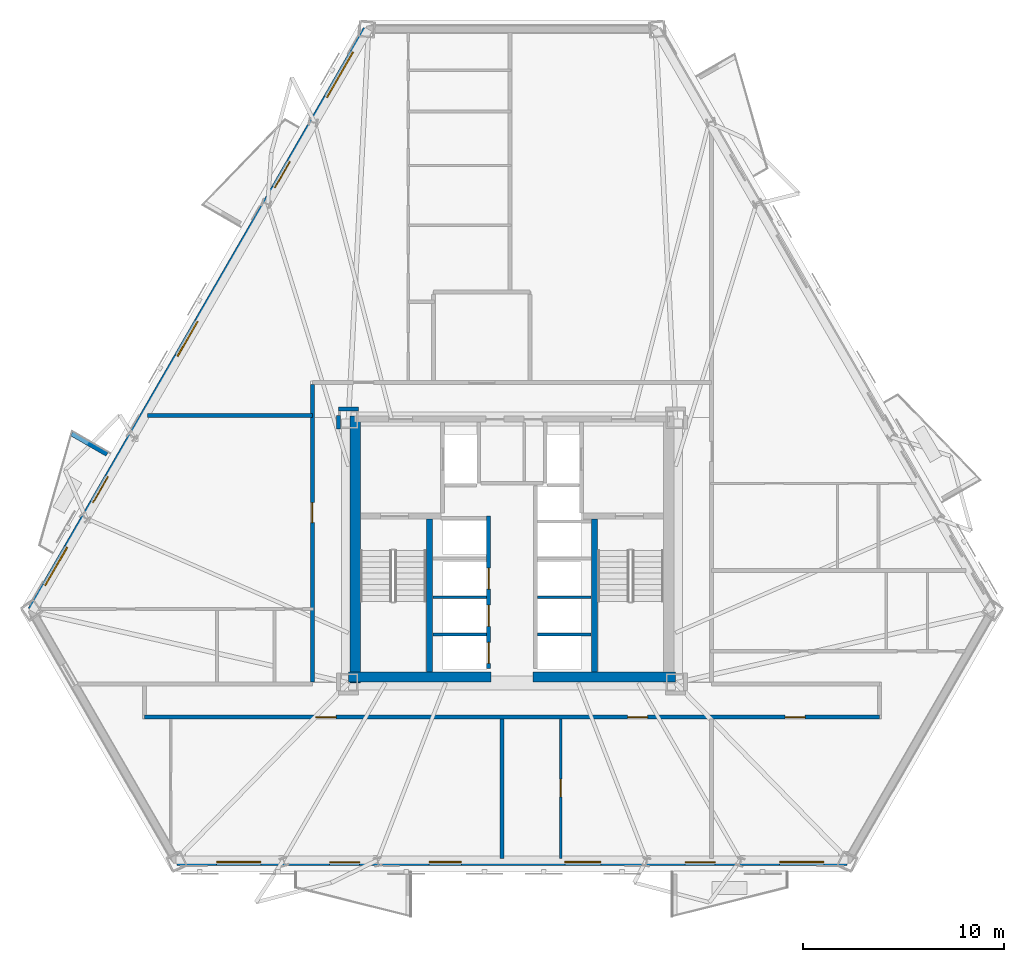
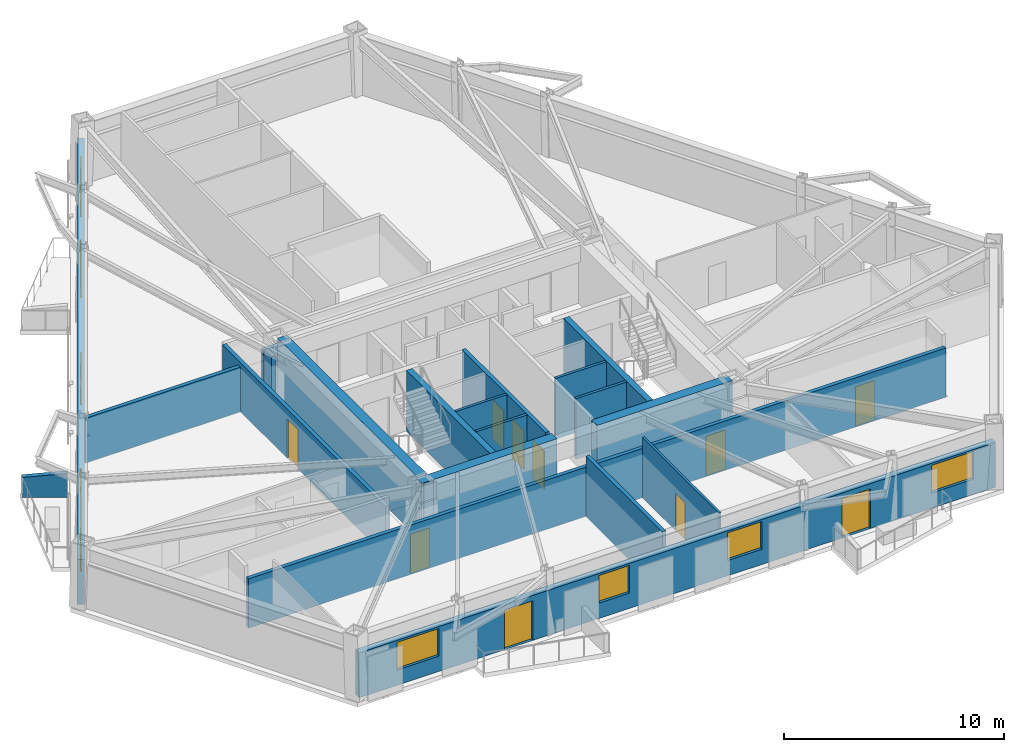
# One storey, part 3 of 10: 20 walls, 12 doors, 7 windows, 19 openings.
"""IFC4 building model written with IfcOpenShell, lengths in metres."""

from ifc_helpers import new_model, si_unit, direction, frame, frame_2d, origin, place, context, subcontext, project, spatial, polyline, rectangle, outline, extrude, material, layer, layer_set, type_object, element, fill, save


model = new_model("IFC4")

# Units and contexts
model_context = context("Model", 3, precision=1e-05, world=origin(), true_north=direction((0.0, 1.0)))
body_context = subcontext(model_context, "Body", "Model", "MODEL_VIEW")
ifc_project = project(units=[si_unit("LENGTHUNIT", "METRE"), si_unit("AREAUNIT", "SQUARE_METRE"), si_unit("VOLUMEUNIT", "CUBIC_METRE"), si_unit("PLANEANGLEUNIT", "RADIAN"), si_unit("MASSUNIT", "GRAM", prefix="KILO")], contexts=[model_context])

# Site, building, storey
site_placement = place(None, origin())
site = spatial("IfcSite", under=ifc_project, at=site_placement, CompositionType="ELEMENT")
building_placement = place(site_placement, origin())
building = spatial("IfcBuilding", under=site, at=building_placement, Name="Oramaril Tower", CompositionType="ELEMENT")
storey_placement = place(building_placement, frame((0.0, 0.0, 52.5)))
storey = spatial("IfcBuildingStorey", under=building, at=storey_placement, Name="L13", CompositionType="ELEMENT", Elevation=52.5)

# Wall, openings, doors, windows
ifc_material_1 = material(Name="Warm Cream Limestone", Category="masonry")
ifc_layer_1 = layer(ifc_material_1, 0.340087890625)
ifc_layer_set_1 = layer_set([ifc_layer_1], Name="WT-EXT34")
wall_type_1 = type_object("IfcWallType", Name="WT-EXT34", PredefinedType="SOLIDWALL", material=ifc_layer_set_1)
wall_1_placement = place(storey_placement, frame((20.799072265625, 2.07763671875, 0.0), z_axis=(0.0, 0.0, 1.0), x_axis=(1.0, 0.0, 0.0)))
wall_1 = element("IfcWall", 1, at=wall_1_placement, inside=storey, type_object=wall_type_1, Name="L13 Tower Limestone Facade Wall 2M", PredefinedType="SOLIDWALL", context=body_context, shape_type="SweptSolid", body=[
    extrude(rectangle(XDim=33.40185546875, YDim=0.340087890625, at=frame_2d((16.700927734375, 0.0))), origin(), (0.0, 0.0, 1.0), 2.493896484375),
])
opening_1_placement = place(wall_1_placement, frame((7.614501953125, 0.0, 0.0)))
opening_1 = element("IfcOpeningElement", 2, at=opening_1_placement, cuts=wall_1, Name="Opening D-L13-BAL-S1", PredefinedType="OPENING", context=body_context, shape_type="SweptSolid", body=[
    extrude(rectangle(XDim=1.5, YDim=2.199951171875, at=frame_2d((0.75, 1.10009765625))), frame((0.0, 0.169921875, 0.0), z_axis=(0.0, -1.0, 0.0), x_axis=(1.0, 0.0, 0.0)), (0.0, 0.0, 1.0), 0.340087890625),
])
opening_2_placement = place(wall_1_placement, frame((25.322509765625, 0.0, 0.0)))
opening_2 = element("IfcOpeningElement", 3, at=opening_2_placement, cuts=wall_1, Name="Opening D-L13-BAL-S2", PredefinedType="OPENING", context=body_context, shape_type="SweptSolid", body=[
    extrude(rectangle(XDim=1.5, YDim=2.199951171875, at=frame_2d((0.75, 1.10009765625))), frame((0.0, 0.169921875, 0.0), z_axis=(0.0, -1.0, 0.0), x_axis=(1.0, 0.0, 0.0)), (0.0, 0.0, 1.0), 0.340087890625),
])
opening_3_placement = place(wall_1_placement, frame((1.98779296875, 0.0, 0.85009765625)))
opening_3 = element("IfcOpeningElement", 4, at=opening_3_placement, cuts=wall_1, Name="Opening WN-04", PredefinedType="OPENING", context=body_context, shape_type="SweptSolid", body=[
    extrude(rectangle(XDim=2.199951171875, YDim=1.533935546875, at=frame_2d((1.10009765625, 0.76708984375))), frame((0.0, 0.169921875, 0.0), z_axis=(0.0, -1.0, 0.0), x_axis=(1.0, 0.0, 0.0)), (0.0, 0.0, 1.0), 0.340087890625),
])
opening_4_placement = place(wall_1_placement, frame((12.577392578125, 0.0, 0.85009765625)))
opening_4 = element("IfcOpeningElement", 5, at=opening_4_placement, cuts=wall_1, Name="Opening WN-07", PredefinedType="OPENING", context=body_context, shape_type="SweptSolid", body=[
    extrude(rectangle(XDim=1.60009765625, YDim=1.533935546875, at=frame_2d((0.800048828125, 0.76708984375))), frame((0.0, 0.169921875, 0.0), z_axis=(0.0, -1.0, 0.0), x_axis=(1.0, 0.0, 0.0)), (0.0, 0.0, 1.0), 0.340087890625),
])
opening_5_placement = place(wall_1_placement, frame((19.331787109375, 0.0, 0.85009765625)))
opening_5 = element("IfcOpeningElement", 6, at=opening_5_placement, cuts=wall_1, Name="Opening WN-06", PredefinedType="OPENING", context=body_context, shape_type="SweptSolid", body=[
    extrude(rectangle(XDim=1.800048828125, YDim=1.533935546875, at=frame_2d((0.89990234375, 0.76708984375))), frame((0.0, 0.169921875, 0.0), z_axis=(0.0, -1.0, 0.0), x_axis=(1.0, 0.0, 0.0)), (0.0, 0.0, 1.0), 0.340087890625),
])
opening_6_placement = place(wall_1_placement, frame((30.03857421875, 0.0, 0.85009765625)))
opening_6 = element("IfcOpeningElement", 7, at=opening_6_placement, cuts=wall_1, Name="Opening WN-04", PredefinedType="OPENING", context=body_context, shape_type="SweptSolid", body=[
    extrude(rectangle(XDim=2.199951171875, YDim=1.533935546875, at=frame_2d((1.10009765625, 0.76708984375))), frame((0.0, 0.169921875, 0.0), z_axis=(0.0, -1.0, 0.0), x_axis=(1.0, 0.0, 0.0)), (0.0, 0.0, 1.0), 0.340087890625),
])
ifc_material_2 = material(Name="Anodised Aluminium 6063-T6", Category="aluminium")
door_type_1 = type_object("IfcDoorType", Name="DT-BAL", OperationType="NOTDEFINED", PredefinedType="DOOR", material=ifc_material_2)
door_1_placement = place(opening_1_placement, origin())
door_1 = element("IfcDoor", 8, at=door_1_placement, inside=storey, type_object=door_type_1, Name="L13 Balcony Glazed Door L13-BAL-S1", OperationType="SINGLE_SWING_RIGHT", OverallHeight=2.199951171875, OverallWidth=1.5, PredefinedType="DOOR", context=body_context, shape_type="SweptSolid", body=[
    extrude(rectangle(XDim=1.5, YDim=2.199951171875, at=frame_2d((0.75, 1.10009765625))), frame((0.0, 0.02490234375, 0.0), z_axis=(0.0, -1.0, 0.0), x_axis=(1.0, 0.0, 0.0)), (0.0, 0.0, 1.0), 0.050048828125),
])
fill(opening_1, door_1)
door_2_placement = place(opening_2_placement, origin())
door_2 = element("IfcDoor", 9, at=door_2_placement, inside=storey, type_object=door_type_1, Name="L13 Balcony Glazed Door L13-BAL-S2", OperationType="SINGLE_SWING_LEFT", OverallHeight=2.199951171875, OverallWidth=1.5, PredefinedType="DOOR", context=body_context, shape_type="SweptSolid", body=[
    extrude(rectangle(XDim=1.5, YDim=2.199951171875, at=frame_2d((0.75, 1.10009765625))), frame((0.0, 0.02490234375, 0.0), z_axis=(0.0, -1.0, 0.0), x_axis=(1.0, 0.0, 0.0)), (0.0, 0.0, 1.0), 0.050048828125),
])
fill(opening_2, door_2)
ifc_material_3 = material(Name="Coastal Low-E Insulated Glass", Category="glass")
window_type_1 = type_object("IfcWindowType", Name="WNT-04", PartitioningType="SINGLE_PANEL", PredefinedType="WINDOW", material=ifc_material_3)
window_1_placement = place(opening_3_placement, origin())
window_1 = element("IfcWindow", 10, at=window_1_placement, inside=storey, type_object=window_type_1, Name="L13 Chicago Bay Window WN-04", OverallHeight=1.533935546875, OverallWidth=2.199951171875, PartitioningType="SINGLE_PANEL", PredefinedType="WINDOW", context=body_context, shape_type="SweptSolid", body=[
    extrude(rectangle(XDim=2.199951171875, YDim=1.533935546875, at=frame_2d((1.10009765625, 0.76708984375))), frame((0.0, 0.030029296875, 0.0), z_axis=(0.0, -1.0, 0.0), x_axis=(1.0, 0.0, 0.0)), (0.0, 0.0, 1.0), 0.06005859375),
])
fill(opening_3, window_1)
window_2_placement = place(opening_6_placement, origin())
window_2 = element("IfcWindow", 11, at=window_2_placement, inside=storey, type_object=window_type_1, Name="L13 Chicago Bay Window WN-04", OverallHeight=1.533935546875, OverallWidth=2.199951171875, PartitioningType="SINGLE_PANEL", PredefinedType="WINDOW", context=body_context, shape_type="SweptSolid", body=[
    extrude(rectangle(XDim=2.199951171875, YDim=1.533935546875, at=frame_2d((1.10009765625, 0.76708984375))), frame((0.0, 0.030029296875, 0.0), z_axis=(0.0, -1.0, 0.0), x_axis=(1.0, 0.0, 0.0)), (0.0, 0.0, 1.0), 0.06005859375),
])
fill(opening_6, window_2)
ifc_material_4 = material(Name="Coastal Low-E Insulated Glass", Category="glass")
window_type_2 = type_object("IfcWindowType", Name="WNT-06", PartitioningType="SINGLE_PANEL", PredefinedType="WINDOW", material=ifc_material_4)
window_3_placement = place(opening_5_placement, origin())
window_3 = element("IfcWindow", 12, at=window_3_placement, inside=storey, type_object=window_type_2, Name="L13 Chicago Bay Window WN-06", OverallHeight=1.533935546875, OverallWidth=1.800048828125, PartitioningType="SINGLE_PANEL", PredefinedType="WINDOW", context=body_context, shape_type="SweptSolid", body=[
    extrude(rectangle(XDim=1.800048828125, YDim=1.533935546875, at=frame_2d((0.89990234375, 0.76708984375))), frame((0.0, 0.030029296875, 0.0), z_axis=(0.0, -1.0, 0.0), x_axis=(1.0, 0.0, 0.0)), (0.0, 0.0, 1.0), 0.06005859375),
])
fill(opening_5, window_3)
ifc_material_5 = material(Name="Coastal Low-E Insulated Glass", Category="glass")
window_type_3 = type_object("IfcWindowType", Name="WNT-07", PartitioningType="SINGLE_PANEL", PredefinedType="WINDOW", material=ifc_material_5)
window_4_placement = place(opening_4_placement, origin())
window_4 = element("IfcWindow", 13, at=window_4_placement, inside=storey, type_object=window_type_3, Name="L13 Chicago Bay Window WN-07", OverallHeight=1.533935546875, OverallWidth=1.60009765625, PartitioningType="SINGLE_PANEL", PredefinedType="WINDOW", context=body_context, shape_type="SweptSolid", body=[
    extrude(rectangle(XDim=1.60009765625, YDim=1.533935546875, at=frame_2d((0.800048828125, 0.76708984375))), frame((0.0, 0.030029296875, 0.0), z_axis=(0.0, -1.0, 0.0), x_axis=(1.0, 0.0, 0.0)), (0.0, 0.0, 1.0), 0.06005859375),
])
fill(opening_4, window_4)

wall_2_placement = place(storey_placement, frame((30.24267578125, 43.574462890625, 0.0), z_axis=(0.0, 0.0, 1.0), x_axis=(-0.500001264705, -0.866024673605, 0.0)))
wall_2 = element("IfcWall", 14, at=wall_2_placement, inside=storey, type_object=wall_type_1, Name="L13 Tower Limestone Facade Wall 6M", PredefinedType="SOLIDWALL", context=body_context, shape_type="SweptSolid", body=[
    extrude(rectangle(XDim=33.40185546875, YDim=0.340087890625, at=frame_2d((16.700927734375, 0.0))), origin(), (0.0, 0.0, 1.0), 2.493896484375),
])
opening_7_placement = place(wall_2_placement, frame((7.614501953125, 0.0, 0.0)))
opening_7 = element("IfcOpeningElement", 15, at=opening_7_placement, cuts=wall_2, Name="Opening D-L13-BAL-NW1", PredefinedType="OPENING", context=body_context, shape_type="SweptSolid", body=[
    extrude(rectangle(XDim=1.5, YDim=2.199951171875, at=frame_2d((0.75, 1.10009765625))), frame((0.0, 0.169921875, 0.0), z_axis=(0.0, -1.0, 0.0), x_axis=(1.0, 0.0, 0.0)), (0.0, 0.0, 1.0), 0.340087890625),
])
opening_8_placement = place(wall_2_placement, frame((25.742431640625, 0.0, 0.0)))
opening_8 = element("IfcOpeningElement", 16, at=opening_8_placement, cuts=wall_2, Name="Opening D-L13-BAL-NW2", PredefinedType="OPENING", context=body_context, shape_type="SweptSolid", body=[
    extrude(rectangle(XDim=1.5, YDim=2.199951171875, at=frame_2d((0.75, 1.10009765625))), frame((0.0, 0.169921875, 0.0), z_axis=(0.0, -1.0, 0.0), x_axis=(1.0, 0.0, 0.0)), (0.0, 0.0, 1.0), 0.340087890625),
])
opening_9_placement = place(wall_2_placement, frame((29.806640625, 0.0, 0.85009765625)))
opening_9 = element("IfcOpeningElement", 17, at=opening_9_placement, cuts=wall_2, Name="Opening WN-04", PredefinedType="OPENING", context=body_context, shape_type="SweptSolid", body=[
    extrude(rectangle(XDim=2.199951171875, YDim=1.533935546875, at=frame_2d((1.10009765625, 0.76708984375))), frame((0.0, 0.169921875, 0.0), z_axis=(0.0, -1.0, 0.0), x_axis=(1.0, 0.0, 0.0)), (0.0, 0.0, 1.0), 0.340087890625),
])
opening_10_placement = place(wall_2_placement, frame((1.321044921875, 0.0, 0.85009765625)))
opening_10 = element("IfcOpeningElement", 18, at=opening_10_placement, cuts=wall_2, Name="Opening WN-02", PredefinedType="OPENING", context=body_context, shape_type="SweptSolid", body=[
    extrude(rectangle(XDim=2.60009765625, YDim=1.533935546875, at=frame_2d((1.300048828125, 0.76708984375))), frame((0.0, 0.169921875, 0.0), z_axis=(0.0, -1.0, 0.0), x_axis=(1.0, 0.0, 0.0)), (0.0, 0.0, 1.0), 0.340087890625),
])
opening_11_placement = place(wall_2_placement, frame((16.814453125, 0.0, 0.85009765625)))
opening_11 = element("IfcOpeningElement", 19, at=opening_11_placement, cuts=wall_2, Name="Opening WN-05", PredefinedType="OPENING", context=body_context, shape_type="SweptSolid", body=[
    extrude(rectangle(XDim=2.0, YDim=1.533935546875, at=frame_2d((1.0, 0.76708984375))), frame((0.0, 0.169921875, 0.0), z_axis=(0.0, -1.0, 0.0), x_axis=(1.0, 0.0, 0.0)), (0.0, 0.0, 1.0), 0.340087890625),
])
door_3_placement = place(opening_7_placement, origin())
door_3 = element("IfcDoor", 20, at=door_3_placement, inside=storey, type_object=door_type_1, Name="L13 Balcony Glazed Door L13-BAL-NW1", OperationType="SINGLE_SWING_RIGHT", OverallHeight=2.199951171875, OverallWidth=1.5, PredefinedType="DOOR", context=body_context, shape_type="SweptSolid", body=[
    extrude(rectangle(XDim=1.5, YDim=2.199951171875, at=frame_2d((0.75, 1.10009765625))), frame((0.0, 0.02490234375, 0.0), z_axis=(0.0, -1.0, 0.0), x_axis=(1.0, 0.0, 0.0)), (0.0, 0.0, 1.0), 0.050048828125),
])
fill(opening_7, door_3)
door_4_placement = place(opening_8_placement, origin())
door_4 = element("IfcDoor", 21, at=door_4_placement, inside=storey, type_object=door_type_1, Name="L13 Balcony Glazed Door L13-BAL-NW2", OperationType="SINGLE_SWING_LEFT", OverallHeight=2.199951171875, OverallWidth=1.5, PredefinedType="DOOR", context=body_context, shape_type="SweptSolid", body=[
    extrude(rectangle(XDim=1.5, YDim=2.199951171875, at=frame_2d((0.75, 1.10009765625))), frame((0.0, 0.02490234375, 0.0), z_axis=(0.0, -1.0, 0.0), x_axis=(1.0, 0.0, 0.0)), (0.0, 0.0, 1.0), 0.050048828125),
])
fill(opening_8, door_4)
ifc_material_6 = material(Name="Coastal Low-E Insulated Glass", Category="glass")
window_type_4 = type_object("IfcWindowType", Name="WNT-02", PartitioningType="SINGLE_PANEL", PredefinedType="WINDOW", material=ifc_material_6)
window_5_placement = place(opening_10_placement, origin())
window_5 = element("IfcWindow", 22, at=window_5_placement, inside=storey, type_object=window_type_4, Name="L13 Chicago Bay Window WN-02", OverallHeight=1.533935546875, OverallWidth=2.60009765625, PartitioningType="SINGLE_PANEL", PredefinedType="WINDOW", context=body_context, shape_type="SweptSolid", body=[
    extrude(rectangle(XDim=2.60009765625, YDim=1.533935546875, at=frame_2d((1.300048828125, 0.76708984375))), frame((0.0, 0.030029296875, 0.0), z_axis=(0.0, -1.0, 0.0), x_axis=(1.0, 0.0, 0.0)), (0.0, 0.0, 1.0), 0.06005859375),
])
fill(opening_10, window_5)
window_6_placement = place(opening_9_placement, origin())
window_6 = element("IfcWindow", 23, at=window_6_placement, inside=storey, type_object=window_type_1, Name="L13 Chicago Bay Window WN-04", OverallHeight=1.533935546875, OverallWidth=2.199951171875, PartitioningType="SINGLE_PANEL", PredefinedType="WINDOW", context=body_context, shape_type="SweptSolid", body=[
    extrude(rectangle(XDim=2.199951171875, YDim=1.533935546875, at=frame_2d((1.10009765625, 0.76708984375))), frame((0.0, 0.030029296875, 0.0), z_axis=(0.0, -1.0, 0.0), x_axis=(1.0, 0.0, 0.0)), (0.0, 0.0, 1.0), 0.06005859375),
])
fill(opening_9, window_6)
ifc_material_7 = material(Name="Coastal Low-E Insulated Glass", Category="glass")
window_type_5 = type_object("IfcWindowType", Name="WNT-05", PartitioningType="SINGLE_PANEL", PredefinedType="WINDOW", material=ifc_material_7)
window_7_placement = place(opening_11_placement, origin())
window_7 = element("IfcWindow", 24, at=window_7_placement, inside=storey, type_object=window_type_5, Name="L13 Chicago Bay Window WN-05", OverallHeight=1.533935546875, OverallWidth=2.0, PartitioningType="SINGLE_PANEL", PredefinedType="WINDOW", context=body_context, shape_type="SweptSolid", body=[
    extrude(rectangle(XDim=2.0, YDim=1.533935546875, at=frame_2d((1.0, 0.76708984375))), frame((0.0, 0.030029296875, 0.0), z_axis=(0.0, -1.0, 0.0), x_axis=(1.0, 0.0, 0.0)), (0.0, 0.0, 1.0), 0.06005859375),
])
fill(opening_11, window_7)

# Wall
ifc_material_8 = material(Name="Concrete C40/50", Category="concrete")
ifc_layer_2 = layer(ifc_material_8, 0.22998046875)
ifc_layer_set_2 = layer_set([ifc_layer_2], Name="WT-PRP23")
wall_type_2 = type_object("IfcWallType", Name="WT-PRP23", PredefinedType="PARAPET", material=ifc_layer_set_2)
wall_3_placement = place(storey_placement, frame((17.326171875, 22.398193359375, 0.0), z_axis=(0.0, 0.0, 1.0), x_axis=(-0.866042246008, 0.499970827278, 0.0)))
element("IfcWall", 25, at=wall_3_placement, inside=storey, type_object=wall_type_2, Name="L13 Trapezoidal Balcony Frame Cheek L13-BAL-NW2-L", PredefinedType="PARAPET", context=body_context, shape_type="SweptSolid", body=[
    extrude(outline(polyline([(0.0, 0.0), (2.0419921875, 0.0), (2.0419921875, 1.10009765625), (0.0, 1.320068359375), (0.0, 0.0)])), frame((0.0, 0.114990234375, 0.0), z_axis=(0.0, -1.0, 0.0), x_axis=(1.0, 0.0, 0.0)), (0.0, 0.0, 1.0), 0.22998046875),
])

# Wall, opening, door
ifc_material_9 = material(Name="Acoustic Gypsum Board Partition")
ifc_layer_3 = layer(ifc_material_9, 0.1201171875)
ifc_layer_set_3 = layer_set([ifc_layer_3], Name="WT-PT12")
wall_type_3 = type_object("IfcWallType", Name="WT-PT12", PredefinedType="PARTITIONING", material=ifc_layer_set_3)
wall_4_placement = place(storey_placement, frame((39.929931640625, 2.251708984375, 0.0), z_axis=(0.0, 0.0, 1.0), x_axis=(0.0, 1.0, 0.0)))
wall_4 = element("IfcWall", 26, at=wall_4_placement, inside=storey, type_object=wall_type_3, Name="L13 Interior Partition PT-12", PredefinedType="PARTITIONING", context=body_context, shape_type="SweptSolid", body=[
    extrude(rectangle(XDim=6.9443359375, YDim=0.1201171875, at=frame_2d((3.47216796875, 0.0))), origin(), (0.0, 0.0, 1.0), 3.360107421875),
])
opening_12_placement = place(wall_4_placement, frame((3.072021484375, 0.0, 0.0)))
opening_12 = element("IfcOpeningElement", 27, at=opening_12_placement, cuts=wall_4, Name="Opening D-L13-23", PredefinedType="OPENING", context=body_context, shape_type="SweptSolid", body=[
    extrude(rectangle(XDim=0.8798828125, YDim=2.080078125, at=frame_2d((0.43994140625, 1.0400390625))), frame((0.0, 0.06005859375, 0.0), z_axis=(0.0, -1.0, 0.0), x_axis=(1.0, 0.0, 0.0)), (0.0, 0.0, 1.0), 0.1201171875),
])
ifc_material_10 = material(Name="FSC Brazilian Freijo Hardwood", Category="wood")
door_type_2 = type_object("IfcDoorType", Name="DT-BATH", OperationType="NOTDEFINED", PredefinedType="DOOR", material=ifc_material_10)
door_5_placement = place(opening_12_placement, origin())
door_5 = element("IfcDoor", 28, at=door_5_placement, inside=storey, type_object=door_type_2, Name="L13 Flat L13-U2 Bathroom Door D-L13-23", OperationType="SINGLE_SWING_RIGHT", OverallHeight=2.080078125, OverallWidth=0.8798828125, PredefinedType="DOOR", context=body_context, shape_type="SweptSolid", body=[
    extrude(rectangle(XDim=0.8798828125, YDim=2.080078125, at=frame_2d((0.43994140625, 1.0400390625))), frame((0.0, 0.02490234375, 0.0), z_axis=(0.0, -1.0, 0.0), x_axis=(1.0, 0.0, 0.0)), (0.0, 0.0, 1.0), 0.050048828125),
])
fill(opening_12, door_5)

# Walls
ifc_material_11 = material(Name="Acoustic Gypsum Board Partition")
ifc_layer_4 = layer(ifc_material_11, 0.139892578125)
ifc_layer_set_4 = layer_set([ifc_layer_4], Name="WT-PT14")
wall_type_4 = type_object("IfcWallType", Name="WT-PT14", PredefinedType="PARTITIONING", material=ifc_layer_set_4)
for number, where, z_axis, x_axis, name in (
    (29, (33.56005859375, 13.419921875, 0.0), (0.0, 0.0, 1.0), (1.0, 0.0, 0.0), "L13 West Lift Divider"),
    (30, (33.56005859375, 15.27001953125, 0.0), (0.0, 0.0, 1.0), (1.0, 0.0, 0.0), "L13 West Lift Divider"),
    (31, (38.780029296875, 13.419921875, 0.0), (0.0, 0.0, 1.0), (1.0, 0.0, 0.0), "L13 East Lift Divider"),
    (32, (38.780029296875, 15.27001953125, 0.0), (0.0, 0.0, 1.0), (1.0, 0.0, 0.0), "L13 East Lift Divider"),
):
    element("IfcWall", number, at=place(storey_placement, frame(where, z_axis=z_axis, x_axis=x_axis)), inside=storey, type_object=wall_type_4, Name=name, PredefinedType="PARTITIONING", context=body_context, shape_type="SweptSolid", body=[
        extrude(rectangle(XDim=2.659912109375, YDim=0.139892578125, at=frame_2d((1.330078125, 0.0))), origin(), (0.0, 0.0, 1.0), 3.360107421875),
    ])

# Wall, openings, doors
ifc_material_12 = material(Name="Autoclaved Cellular Concrete Block", Category="concrete")
ifc_layer_5 = layer(ifc_material_12, 0.199951171875)
ifc_layer_set_5 = layer_set([ifc_layer_5], Name="WT-PT20")
wall_type_5 = type_object("IfcWallType", Name="WT-PT20", PredefinedType="PARTITIONING", material=ifc_layer_set_5)
wall_5_placement = place(storey_placement, frame((19.199951171875, 9.300048828125, 0.0), z_axis=(0.0, 0.0, 1.0), x_axis=(1.0, 0.0, 0.0)))
wall_5 = element("IfcWall", 33, at=wall_5_placement, inside=storey, type_object=wall_type_5, Name="L13 Interior Partition PT-20", PredefinedType="PARTITIONING", context=body_context, shape_type="SweptSolid", body=[
    extrude(rectangle(XDim=36.60009765625, YDim=0.199951171875, at=frame_2d((18.300048828125, 0.0))), origin(), (0.0, 0.0, 1.0), 2.738037109375),
])
opening_13_placement = place(wall_5_placement, frame((8.531494140625, 0.0, 0.0)))
opening_13 = element("IfcOpeningElement", 34, at=opening_13_placement, cuts=wall_5, Name="Opening D-L13-01", PredefinedType="OPENING", context=body_context, shape_type="SweptSolid", body=[
    extrude(rectangle(XDim=1.0, YDim=2.179931640625, at=frame_2d((0.5, 1.08984375))), frame((0.0, 0.10009765625, 0.0), z_axis=(0.0, -1.0, 0.0), x_axis=(1.0, 0.0, 0.0)), (0.0, 0.0, 1.0), 0.199951171875),
])
opening_14_placement = place(wall_5_placement, frame((24.0615234375, 0.0, 0.0)))
opening_14 = element("IfcOpeningElement", 35, at=opening_14_placement, cuts=wall_5, Name="Opening D-L13-02", PredefinedType="OPENING", context=body_context, shape_type="SweptSolid", body=[
    extrude(rectangle(XDim=1.0, YDim=2.179931640625, at=frame_2d((0.5, 1.08984375))), frame((0.0, 0.10009765625, 0.0), z_axis=(0.0, -1.0, 0.0), x_axis=(1.0, 0.0, 0.0)), (0.0, 0.0, 1.0), 0.199951171875),
])
opening_15_placement = place(wall_5_placement, frame((31.904052734375, 0.0, 0.0)))
opening_15 = element("IfcOpeningElement", 36, at=opening_15_placement, cuts=wall_5, Name="Opening D-L13-03", PredefinedType="OPENING", context=body_context, shape_type="SweptSolid", body=[
    extrude(rectangle(XDim=1.0, YDim=2.179931640625, at=frame_2d((0.5, 1.08984375))), frame((0.0, 0.10009765625, 0.0), z_axis=(0.0, -1.0, 0.0), x_axis=(1.0, 0.0, 0.0)), (0.0, 0.0, 1.0), 0.199951171875),
])
ifc_material_13 = material(Name="FSC Brazilian Freijo Hardwood", Category="wood")
door_type_3 = type_object("IfcDoorType", Name="DT-APT", OperationType="NOTDEFINED", PredefinedType="DOOR", material=ifc_material_13)
door_6_placement = place(opening_13_placement, origin())
door_6 = element("IfcDoor", 37, at=door_6_placement, inside=storey, type_object=door_type_3, Name="L13 Flat L13-U1 Kitchen and Studio Apartment Door D-L13-01", OperationType="SINGLE_SWING_RIGHT", OverallHeight=2.179931640625, OverallWidth=1.0, PredefinedType="DOOR", context=body_context, shape_type="SweptSolid", body=[
    extrude(rectangle(XDim=1.0, YDim=2.179931640625, at=frame_2d((0.5, 1.08984375))), frame((0.0, 0.02490234375, 0.0), z_axis=(0.0, -1.0, 0.0), x_axis=(1.0, 0.0, 0.0)), (0.0, 0.0, 1.0), 0.050048828125),
])
fill(opening_13, door_6)
door_7_placement = place(opening_14_placement, origin())
door_7 = element("IfcDoor", 38, at=door_7_placement, inside=storey, type_object=door_type_3, Name="L13 Flat L13-U2 Kitchen and Studio Apartment Door D-L13-02", OperationType="SINGLE_SWING_LEFT", OverallHeight=2.179931640625, OverallWidth=1.0, PredefinedType="DOOR", context=body_context, shape_type="SweptSolid", body=[
    extrude(rectangle(XDim=1.0, YDim=2.179931640625, at=frame_2d((0.5, 1.08984375))), frame((0.0, 0.02490234375, 0.0), z_axis=(0.0, -1.0, 0.0), x_axis=(1.0, 0.0, 0.0)), (0.0, 0.0, 1.0), 0.050048828125),
])
fill(opening_14, door_7)
door_8_placement = place(opening_15_placement, origin())
door_8 = element("IfcDoor", 39, at=door_8_placement, inside=storey, type_object=door_type_3, Name="L13 Flat L13-U4 Penthouse Living and Dining Room Door D-L13-03", OperationType="SINGLE_SWING_RIGHT", OverallHeight=2.179931640625, OverallWidth=1.0, PredefinedType="DOOR", context=body_context, shape_type="SweptSolid", body=[
    extrude(rectangle(XDim=1.0, YDim=2.179931640625, at=frame_2d((0.5, 1.08984375))), frame((0.0, 0.02490234375, 0.0), z_axis=(0.0, -1.0, 0.0), x_axis=(1.0, 0.0, 0.0)), (0.0, 0.0, 1.0), 0.050048828125),
])
fill(opening_15, door_8)

# Walls
wall_6_placement = place(storey_placement, frame((19.326904296875, 24.320068359375, 0.0), z_axis=(0.0, 0.0, 1.0), x_axis=(1.0, 0.0, 0.0)))
element("IfcWall", 40, at=wall_6_placement, inside=storey, type_object=wall_type_5, Name="L13 Interior Partition PT-20", PredefinedType="PARTITIONING", context=body_context, shape_type="SweptSolid", body=[
    extrude(rectangle(XDim=8.22314453125, YDim=0.199951171875, at=frame_2d((4.111572265625, 0.0))), origin(), (0.0, 0.0, 1.0), 2.493896484375),
])
wall_7_placement = place(storey_placement, frame((28.85498046875, 24.639892578125, 0.0), z_axis=(0.0, 0.0, 1.0), x_axis=(1.0, 0.0, 0.0)))
element("IfcWall", 41, at=wall_7_placement, inside=storey, type_object=wall_type_5, Name="L13 Interior Partition PT-20", PredefinedType="PARTITIONING", context=body_context, shape_type="SweptSolid", body=[
    extrude(rectangle(XDim=0.989990234375, YDim=0.199951171875, at=frame_2d((0.4951171875, 0.0))), origin(), (0.0, 0.0, 1.0), 2.738037109375),
])

# Wall, opening, door
wall_8_placement = place(storey_placement, frame((27.550048828125, 11.053955078125, 0.0), z_axis=(0.0, 0.0, 1.0), x_axis=(0.0, 1.0, 0.0)))
wall_8 = element("IfcWall", 42, at=wall_8_placement, inside=storey, type_object=wall_type_5, Name="L13 Interior Partition PT-20", PredefinedType="PARTITIONING", context=body_context, shape_type="SweptSolid", body=[
    extrude(rectangle(XDim=14.81201171875, YDim=0.199951171875, at=frame_2d((7.406005859375, 0.0))), origin(), (0.0, 0.0, 1.0), 2.738037109375),
])
opening_16_placement = place(wall_8_placement, frame((7.931884765625, 0.0, 0.0)))
opening_16 = element("IfcOpeningElement", 43, at=opening_16_placement, cuts=wall_8, Name="Opening D-L13-16", PredefinedType="OPENING", context=body_context, shape_type="SweptSolid", body=[
    extrude(rectangle(XDim=1.0, YDim=2.179931640625, at=frame_2d((0.5, 1.08984375))), frame((0.0, 0.10009765625, 0.0), z_axis=(0.0, -1.0, 0.0), x_axis=(1.0, 0.0, 0.0)), (0.0, 0.0, 1.0), 0.199951171875),
])
door_9_placement = place(opening_16_placement, origin())
door_9 = element("IfcDoor", 44, at=door_9_placement, inside=storey, type_object=door_type_3, Name="L13 Flat L13-U3 Penthouse Living and Dining Room Door D-L13-16", OperationType="SINGLE_SWING_LEFT", OverallHeight=2.179931640625, OverallWidth=1.0, PredefinedType="DOOR", context=body_context, shape_type="SweptSolid", body=[
    extrude(rectangle(XDim=1.0, YDim=2.179931640625, at=frame_2d((0.5, 1.08984375))), frame((0.0, 0.02490234375, 0.0), z_axis=(0.0, -1.0, 0.0), x_axis=(1.0, 0.0, 0.0)), (0.0, 0.0, 1.0), 0.050048828125),
])
fill(opening_16, door_9)

# Walls
wall_9_placement = place(storey_placement, frame((28.860107421875, 23.655029296875, 0.0), z_axis=(0.0, 0.0, 1.0), x_axis=(0.0, 1.0, 0.0)))
element("IfcWall", 45, at=wall_9_placement, inside=storey, type_object=wall_type_5, Name="L13 Interior Partition PT-20", PredefinedType="PARTITIONING", context=body_context, shape_type="SweptSolid", body=[
    extrude(rectangle(XDim=0.6650390625, YDim=0.199951171875, at=frame_2d((0.33251953125, 0.0))), origin(), (0.0, 0.0, 1.0), 2.946044921875),
])
wall_10_placement = place(storey_placement, frame((37.0, 2.251708984375, 0.0), z_axis=(0.0, 0.0, 1.0), x_axis=(0.0, 1.0, 0.0)))
element("IfcWall", 46, at=wall_10_placement, inside=storey, type_object=wall_type_5, Name="L13 Interior Partition PT-20", PredefinedType="PARTITIONING", context=body_context, shape_type="SweptSolid", body=[
    extrude(rectangle(XDim=6.9443359375, YDim=0.199951171875, at=frame_2d((3.47216796875, 0.0))), origin(), (0.0, 0.0, 1.0), 3.360107421875),
])
ifc_material_14 = material(Name="Concrete C50/60", Category="concrete")
ifc_layer_6 = layer(ifc_material_14, 0.300048828125)
ifc_layer_set_6 = layer_set([ifc_layer_6], Name="WT-SH30")
wall_type_6 = type_object("IfcWallType", Name="WT-SH30", PredefinedType="SHEAR", material=ifc_layer_set_6)
for number, where, z_axis, x_axis, name in (
    (47, (33.3798828125, 11.5400390625, 0.0), (0.0, 0.0, 1.0), (0.0, 1.0, 0.0), "L13 Core Shear Wall CW-ST1E"),
    (48, (41.6201171875, 11.5400390625, 0.0), (0.0, 0.0, 1.0), (0.0, 1.0, 0.0), "L13 Core Shear Wall CW-ST2W"),
):
    element("IfcWall", number, at=place(storey_placement, frame(where, z_axis=z_axis, x_axis=x_axis)), inside=storey, type_object=wall_type_6, Name=name, PredefinedType="SHEAR", context=body_context, shape_type="SweptSolid", body=[
        extrude(rectangle(XDim=7.619873046875, YDim=0.300048828125, at=frame_2d((3.81005859375, 0.0))), origin(), (0.0, 0.0, 1.0), 3.360107421875),
    ])
ifc_material_15 = material(Name="Concrete C50/60", Category="concrete")
ifc_layer_7 = layer(ifc_material_15, 0.5)
ifc_layer_set_7 = layer_set([ifc_layer_7], Name="WT-SH50")
wall_type_7 = type_object("IfcWallType", Name="WT-SH50", PredefinedType="SHEAR", material=ifc_layer_set_7)
wall_11_placement = place(storey_placement, frame((29.68994140625, 11.0, 0.0), z_axis=(0.0, 0.0, 1.0), x_axis=(0.0, 1.0, 0.0)))
element("IfcWall", 49, at=wall_11_placement, inside=storey, type_object=wall_type_7, Name="L13 Core Shear Wall CW-W", PredefinedType="SHEAR", context=body_context, shape_type="SweptSolid", body=[
    extrude(rectangle(XDim=13.300048828125, YDim=0.5, at=frame_2d((6.64990234375, 0.0))), origin(), (0.0, 0.0, 1.0), 3.360107421875),
])
for number, where, z_axis, x_axis, name in (
    (50, (29.35009765625, 11.2900390625, 0.0), (0.0, 0.0, 1.0), (1.0, 0.0, 0.0), "L13 Core Shear Wall CW-SW"),
    (51, (38.550048828125, 11.2900390625, 0.0), (0.0, 0.0, 1.0), (1.0, 0.0, 0.0), "L13 Core Shear Wall CW-SE"),
):
    element("IfcWall", number, at=place(storey_placement, frame(where, z_axis=z_axis, x_axis=x_axis)), inside=storey, type_object=wall_type_7, Name=name, PredefinedType="SHEAR", context=body_context, shape_type="SweptSolid", body=[
        extrude(rectangle(XDim=7.099853515625, YDim=0.5, at=frame_2d((3.5498046875, 0.0))), origin(), (0.0, 0.0, 1.0), 3.360107421875),
    ])

# Wall, openings, doors
ifc_material_16 = material(Name="Autoclaved Cellular Concrete Block", Category="concrete")
ifc_layer_8 = layer(ifc_material_16, 0.199951171875)
ifc_layer_set_8 = layer_set([ifc_layer_8], Name="WT-SHF20")
wall_type_8 = type_object("IfcWallType", Name="WT-SHF20", PredefinedType="PARTITIONING", material=ifc_layer_set_8)
wall_12_placement = place(storey_placement, frame((36.340087890625, 11.719970703125, 0.0), z_axis=(0.0, 0.0, 1.0), x_axis=(0.0, 1.0, 0.0)))
wall_12 = element("IfcWall", 52, at=wall_12_placement, inside=storey, type_object=wall_type_8, Name="L13 West Lift Bank Front Wall", PredefinedType="PARTITIONING", context=body_context, shape_type="SweptSolid", body=[
    extrude(rectangle(XDim=7.60009765625, YDim=0.199951171875, at=frame_2d((3.800048828125, 0.0))), origin(), (0.0, 0.0, 1.0), 3.360107421875),
])
opening_17_placement = place(wall_12_placement, frame((0.2548828125, 0.0, 0.0)))
opening_17 = element("IfcOpeningElement", 53, at=opening_17_placement, cuts=wall_12, Name="Opening LD-L13-LP-L1", PredefinedType="OPENING", context=body_context, shape_type="SweptSolid", body=[
    extrude(rectangle(XDim=1.050048828125, YDim=2.14990234375, at=frame_2d((0.52490234375, 1.074951171875))), frame((0.0, 0.10009765625, 0.0), z_axis=(0.0, -1.0, 0.0), x_axis=(1.0, 0.0, 0.0)), (0.0, 0.0, 1.0), 0.199951171875),
])
opening_18_placement = place(wall_12_placement, frame((2.10498046875, 0.0, 0.0)))
opening_18 = element("IfcOpeningElement", 54, at=opening_18_placement, cuts=wall_12, Name="Opening LD-L13-LP-L2", PredefinedType="OPENING", context=body_context, shape_type="SweptSolid", body=[
    extrude(rectangle(XDim=1.050048828125, YDim=2.14990234375, at=frame_2d((0.52490234375, 1.074951171875))), frame((0.0, 0.10009765625, 0.0), z_axis=(0.0, -1.0, 0.0), x_axis=(1.0, 0.0, 0.0)), (0.0, 0.0, 1.0), 0.199951171875),
])
opening_19_placement = place(wall_12_placement, frame((3.955078125, 0.0, 0.0)))
opening_19 = element("IfcOpeningElement", 55, at=opening_19_placement, cuts=wall_12, Name="Opening LD-L13-LP-L3", PredefinedType="OPENING", context=body_context, shape_type="SweptSolid", body=[
    extrude(rectangle(XDim=1.050048828125, YDim=2.14990234375, at=frame_2d((0.52490234375, 1.074951171875))), frame((0.0, 0.10009765625, 0.0), z_axis=(0.0, -1.0, 0.0), x_axis=(1.0, 0.0, 0.0)), (0.0, 0.0, 1.0), 0.199951171875),
])
ifc_material_17 = material(Name="Stainless Steel 316L", Category="steel")
door_type_4 = type_object("IfcDoorType", Name="DT-LD2", OperationType="NOTDEFINED", PredefinedType="DOOR", material=ifc_material_17)
door_10_placement = place(opening_17_placement, origin())
door_10 = element("IfcDoor", 56, at=door_10_placement, inside=storey, type_object=door_type_4, Name="L13 Lift LP-L1 Sliding Landing Door", OperationType="SLIDING_TO_LEFT", OverallHeight=2.14990234375, OverallWidth=1.050048828125, PredefinedType="DOOR", context=body_context, shape_type="SweptSolid", body=[
    extrude(rectangle(XDim=1.050048828125, YDim=2.14990234375, at=frame_2d((0.52490234375, 1.074951171875))), frame((0.0, 0.02490234375, 0.0), z_axis=(0.0, -1.0, 0.0), x_axis=(1.0, 0.0, 0.0)), (0.0, 0.0, 1.0), 0.050048828125),
])
fill(opening_17, door_10)
door_11_placement = place(opening_18_placement, origin())
door_11 = element("IfcDoor", 57, at=door_11_placement, inside=storey, type_object=door_type_4, Name="L13 Lift LP-L2 Sliding Landing Door", OperationType="SLIDING_TO_RIGHT", OverallHeight=2.14990234375, OverallWidth=1.050048828125, PredefinedType="DOOR", context=body_context, shape_type="SweptSolid", body=[
    extrude(rectangle(XDim=1.050048828125, YDim=2.14990234375, at=frame_2d((0.52490234375, 1.074951171875))), frame((0.0, 0.02490234375, 0.0), z_axis=(0.0, -1.0, 0.0), x_axis=(1.0, 0.0, 0.0)), (0.0, 0.0, 1.0), 0.050048828125),
])
fill(opening_18, door_11)
door_12_placement = place(opening_19_placement, origin())
door_12 = element("IfcDoor", 58, at=door_12_placement, inside=storey, type_object=door_type_4, Name="L13 Lift LP-L3 Sliding Landing Door", OperationType="SLIDING_TO_LEFT", OverallHeight=2.14990234375, OverallWidth=1.050048828125, PredefinedType="DOOR", context=body_context, shape_type="SweptSolid", body=[
    extrude(rectangle(XDim=1.050048828125, YDim=2.14990234375, at=frame_2d((0.52490234375, 1.074951171875))), frame((0.0, 0.02490234375, 0.0), z_axis=(0.0, -1.0, 0.0), x_axis=(1.0, 0.0, 0.0)), (0.0, 0.0, 1.0), 0.050048828125),
])
fill(opening_19, door_12)

save(model, "model.ifc")
